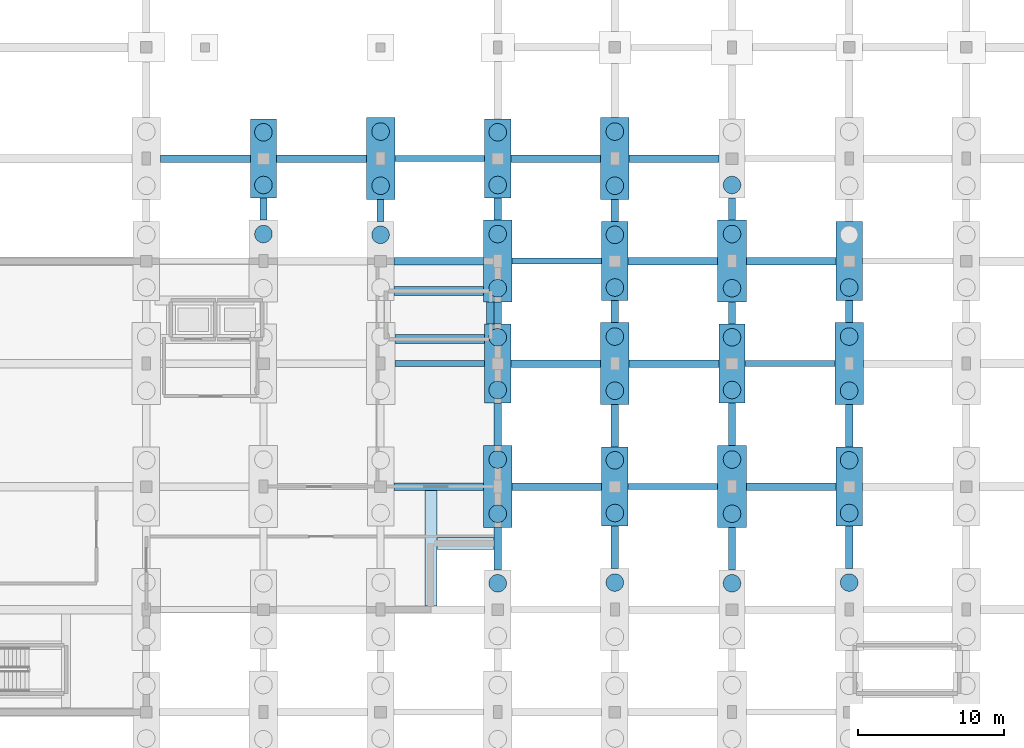
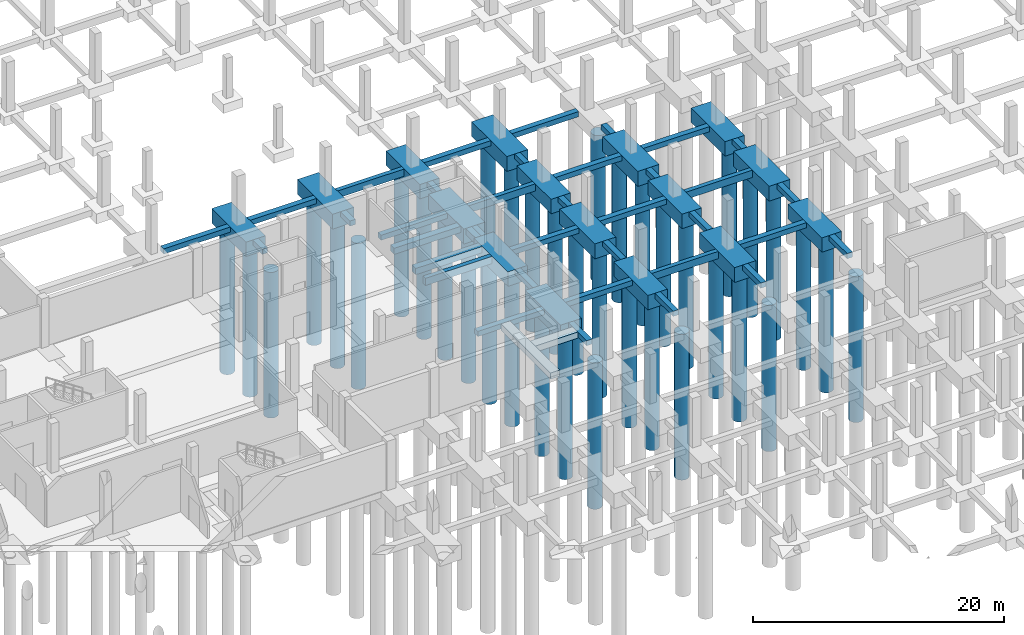
# One storey, part 15 of 50: 55 footings, 38 piles.
"""IFC4 building model written with IfcOpenShell, lengths in metres."""

from ifc_helpers import new_model, si_unit, direction, frame, origin, origin_2d, place, context, subcontext, project, spatial, polyline, rectangle, circle, outline, extrude, material, material_profile, profile_set, type_object, element, save


model = new_model("IFC4")

# Units and contexts
model_context = context("Model", 3, precision=1e-05, world=origin(), true_north=direction((0.0, 1.0)))
body_context = subcontext(model_context, "Body", "Model", "MODEL_VIEW")
ifc_project = project(units=[si_unit("LENGTHUNIT", "METRE"), si_unit("AREAUNIT", "SQUARE_METRE"), si_unit("VOLUMEUNIT", "CUBIC_METRE"), si_unit("PLANEANGLEUNIT", "RADIAN"), si_unit("MASSUNIT", "GRAM", prefix="KILO")], contexts=[model_context])

# Site, building, storey
site_placement = place(None, origin())
site = spatial("IfcSite", under=ifc_project, at=site_placement, CompositionType="ELEMENT")
building_placement = place(site_placement, origin())
building = spatial("IfcBuilding", under=site, at=building_placement, Name="Vekula Escarpment Museum", CompositionType="ELEMENT")
storey_placement = place(building_placement, frame((0.0, 0.0, -4.800048828125)))
storey = spatial("IfcBuildingStorey", under=building, at=storey_placement, Name="B1", CompositionType="ELEMENT", Elevation=-4.800048828125)

# Footings
ifc_material_1 = material(Name="Concrete C35/45", Category="concrete")
footing_type_1 = type_object("IfcFootingType", Name="FB-STRIP-600", PredefinedType="STRIP_FOOTING", material=ifc_material_1)
footing_1_placement = place(storey_placement, frame((0.0, 0.0, -0.599853515625)))
element("IfcFooting", 1, at=footing_1_placement, inside=storey, type_object=footing_type_1, Name="Plinth Wall Strip Footing 0010", PredefinedType="STRIP_FOOTING", context=body_context, shape_type="SweptSolid", body=[
    extrude(outline(polyline([(89.860107421875, 59.85400390625), (89.02001953125, 59.85400390625), (89.02001953125, 67.74609375), (89.860107421875, 67.74609375), (89.860107421875, 59.85400390625)])), origin(), (0.0, 0.0, 1.0), 0.599853515625),
])
footing_2_placement = place(storey_placement, frame((0.0, 0.0, -0.599853515625)))
element("IfcFooting", 2, at=footing_2_placement, inside=storey, type_object=footing_type_1, Name="Plinth Wall Strip Footing 0011", PredefinedType="STRIP_FOOTING", context=body_context, shape_type="SweptSolid", body=[
    extrude(outline(polyline([(89.864013671875, 63.701904296875), (89.864013671875, 64.5419921875), (93.74609375, 64.5419921875), (93.74609375, 63.701904296875), (89.864013671875, 63.701904296875)])), origin(), (0.0, 0.0, 1.0), 0.599853515625),
])
footing_3_placement = place(storey_placement, frame((0.0, 0.0, -0.599853515625)))
element("IfcFooting", 3, at=footing_3_placement, inside=storey, type_object=footing_type_1, Name="Stair Core Strip Footing ST-09 E", PredefinedType="STRIP_FOOTING", context=body_context, shape_type="SweptSolid", body=[
    extrude(outline(polyline([(93.22509765625, 80.595947265625), (93.74609375, 80.595947265625), (93.74609375, 79.10400390625), (93.22509765625, 79.10400390625), (93.22509765625, 80.595947265625)])), origin(), (0.0, 0.0, 1.0), 0.599853515625),
])
footing_4_placement = place(storey_placement, frame((0.0, 0.0, -0.599853515625)))
element("IfcFooting", 4, at=footing_4_placement, inside=storey, type_object=footing_type_1, Name="Stair Core Strip Footing ST-09 S", PredefinedType="STRIP_FOOTING", context=body_context, shape_type="SweptSolid", body=[
    extrude(outline(polyline([(86.97900390625, 77.77490234375), (86.97900390625, 78.375), (93.095947265625, 78.375), (93.095947265625, 77.77490234375), (86.97900390625, 77.77490234375)])), origin(), (0.0, 0.0, 1.0), 0.599853515625),
])
footing_5_placement = place(storey_placement, frame((0.0, 0.0, -0.599853515625)))
element("IfcFooting", 5, at=footing_5_placement, inside=storey, type_object=footing_type_1, Name="Stair Core Strip Footing ST-09 N", PredefinedType="STRIP_FOOTING", context=body_context, shape_type="SweptSolid", body=[
    extrude(outline(polyline([(86.904052734375, 81.06494140625), (86.904052734375, 81.6650390625), (93.02099609375, 81.6650390625), (93.02099609375, 81.06494140625), (86.904052734375, 81.06494140625)])), origin(), (0.0, 0.0, 1.0), 0.599853515625),
])
ifc_material_2 = material(Name="Concrete C35/45", Category="concrete")
ifc_material_profile_1 = material_profile(ifc_material_2, rectangle(XDim=0.39990234375, YDim=0.699951171875, at=origin_2d()), Name="RC 400x700")
ifc_profile_set_1 = profile_set([ifc_material_profile_1], Name="Concrete C35/45")
footing_type_2 = type_object("IfcFootingType", Name="FB-TIE-400x700", PredefinedType="FOOTING_BEAM", material=ifc_profile_set_1)
for number, where, z_axis, x_axis, name in (
    (6, (102.89990234375, 68.0, -0.349853515625), (1.0, 0.0, 0.0), (0.0, 1.0, 0.0), "Foundation Tie Beam 201"),
    (7, (86.97509765625, 76.39990234375, -0.349853515625), (1.0, 0.0, 0.0), (0.0, 1.0, 0.0), "Foundation Tie Beam 222"),
    (8, (110.89990234375, 76.39990234375, -0.349853515625), (1.0, 0.0, 0.0), (0.0, 1.0, 0.0), "Foundation Tie Beam 225"),
    (9, (94.97509765625, 83.39990234375, -0.349853515625), (1.0, 0.0, 0.0), (0.0, 1.0, 0.0), "Foundation Tie Beam 246"),
    (10, (86.97509765625, 90.39990234375, -0.349853515625), (1.0, 0.0, 0.0), (0.0, 1.0, 0.0), "Foundation Tie Beam 264"),
):
    element("IfcFooting", number, at=place(storey_placement, frame(where, z_axis=z_axis, x_axis=x_axis)), inside=storey, type_object=footing_type_2, Name=name, PredefinedType="FOOTING_BEAM", context=body_context, shape_type="SweptSolid", body=[
        extrude(rectangle(XDim=0.39990234375, YDim=0.699951171875, at=origin_2d()), origin(), (0.0, 0.0, 1.0), 6.125),
    ])
ifc_material_3 = material(Name="Concrete C35/45", Category="concrete")
ifc_material_profile_2 = material_profile(ifc_material_3, rectangle(XDim=0.5, YDim=0.5, at=origin_2d()), Name="RC 500x500")
ifc_profile_set_2 = profile_set([ifc_material_profile_2], Name="Concrete C35/45")
footing_type_3 = type_object("IfcFootingType", Name="FB-TIE-500x500", PredefinedType="FOOTING_BEAM", material=ifc_profile_set_2)
for number, where, z_axis, x_axis, name in (
    (11, (86.89990234375, 68.0, -0.25), (1.0, 0.0, 0.0), (0.0, 1.0, 0.0), "Foundation Tie Beam 199"),
    (12, (94.97509765625, 68.0, -0.25), (1.0, 0.0, 0.0), (0.0, 1.0, 0.0), "Foundation Tie Beam 200"),
    (13, (110.97509765625, 68.0, -0.25), (1.0, 0.0, 0.0), (0.0, 1.0, 0.0), "Foundation Tie Beam 202"),
    (14, (94.89990234375, 76.39990234375, -0.25), (1.0, 0.0, 0.0), (0.0, 1.0, 0.0), "Foundation Tie Beam 223"),
    (15, (102.97509765625, 76.39990234375, -0.25), (1.0, 0.0, 0.0), (0.0, 1.0, 0.0), "Foundation Tie Beam 224"),
    (16, (86.89990234375, 83.39990234375, -0.25), (1.0, 0.0, 0.0), (0.0, 1.0, 0.0), "Foundation Tie Beam 245"),
    (17, (102.89990234375, 83.39990234375, -0.25), (1.0, 0.0, 0.0), (0.0, 1.0, 0.0), "Foundation Tie Beam 247"),
    (18, (110.97509765625, 83.39990234375, -0.25), (1.0, 0.0, 0.0), (0.0, 1.0, 0.0), "Foundation Tie Beam 248"),
    (19, (70.97509765625, 90.39990234375, -0.25), (1.0, 0.0, 0.0), (0.0, 1.0, 0.0), "Foundation Tie Beam 262"),
    (20, (78.89990234375, 90.39990234375, -0.25), (1.0, 0.0, 0.0), (0.0, 1.0, 0.0), "Foundation Tie Beam 263"),
    (21, (94.89990234375, 90.39990234375, -0.25), (1.0, 0.0, 0.0), (0.0, 1.0, 0.0), "Foundation Tie Beam 265"),
    (22, (102.97509765625, 90.39990234375, -0.25), (1.0, 0.0, 0.0), (0.0, 1.0, 0.0), "Foundation Tie Beam 266"),
):
    element("IfcFooting", number, at=place(storey_placement, frame(where, z_axis=z_axis, x_axis=x_axis)), inside=storey, type_object=footing_type_3, Name=name, PredefinedType="FOOTING_BEAM", context=body_context, shape_type="SweptSolid", body=[
        extrude(rectangle(XDim=0.5, YDim=0.5, at=origin_2d()), origin(), (0.0, 0.0, 1.0), 6.125),
    ])
for number, where, z_axis, x_axis, name in (
    (23, (78.0, 86.199951171875, -0.25), (0.0, 1.0, 0.0), (-1.0, 0.0, 0.0), "Foundation Tie Beam 576"),
    (24, (86.0, 86.10009765625, -0.25), (0.0, 1.0, 0.0), (-1.0, 0.0, 0.0), "Foundation Tie Beam 588"),
):
    element("IfcFooting", number, at=place(storey_placement, frame(where, z_axis=z_axis, x_axis=x_axis)), inside=storey, type_object=footing_type_3, Name=name, PredefinedType="FOOTING_BEAM", context=body_context, shape_type="SweptSolid", body=[
        extrude(rectangle(XDim=0.5, YDim=0.5, at=origin_2d()), origin(), (0.0, 0.0, 1.0), 1.5),
    ])
for number, where, z_axis, x_axis, name in (
    (25, (94.0, 62.300048828125, -0.25), (0.0, 1.0, 0.0), (-1.0, 0.0, 0.0), "Foundation Tie Beam 600"),
    (26, (94.0, 70.800048828125, -0.25), (0.0, 1.0, 0.0), (-1.0, 0.0, 0.0), "Foundation Tie Beam 601"),
):
    element("IfcFooting", number, at=place(storey_placement, frame(where, z_axis=z_axis, x_axis=x_axis)), inside=storey, type_object=footing_type_3, Name=name, PredefinedType="FOOTING_BEAM", context=body_context, shape_type="SweptSolid", body=[
        extrude(rectangle(XDim=0.5, YDim=0.5, at=origin_2d()), origin(), (0.0, 0.0, 1.0), 2.89990234375),
    ])
for number, where, z_axis, x_axis, name in (
    (27, (94.0, 79.10009765625, -0.25), (0.0, 1.0, 0.0), (-1.0, 0.0, 0.0), "Foundation Tie Beam 602"),
    (28, (94.0, 86.199951171875, -0.25), (0.0, 1.0, 0.0), (-1.0, 0.0, 0.0), "Foundation Tie Beam 603"),
):
    element("IfcFooting", number, at=place(storey_placement, frame(where, z_axis=z_axis, x_axis=x_axis)), inside=storey, type_object=footing_type_3, Name=name, PredefinedType="FOOTING_BEAM", context=body_context, shape_type="SweptSolid", body=[
        extrude(rectangle(XDim=0.5, YDim=0.5, at=origin_2d()), origin(), (0.0, 0.0, 1.0), 1.5),
    ])
for number, where, z_axis, x_axis, name in (
    (29, (102.0, 62.39990234375, -0.25), (0.0, 1.0, 0.0), (-1.0, 0.0, 0.0), "Foundation Tie Beam 618"),
    (30, (102.0, 70.699951171875, -0.25), (0.0, 1.0, 0.0), (-1.0, 0.0, 0.0), "Foundation Tie Beam 619"),
):
    element("IfcFooting", number, at=place(storey_placement, frame(where, z_axis=z_axis, x_axis=x_axis)), inside=storey, type_object=footing_type_3, Name=name, PredefinedType="FOOTING_BEAM", context=body_context, shape_type="SweptSolid", body=[
        extrude(rectangle(XDim=0.5, YDim=0.5, at=origin_2d()), origin(), (0.0, 0.0, 1.0), 2.900146484375),
    ])
for number, where, z_axis, x_axis, name in (
    (31, (102.0, 79.199951171875, -0.25), (0.0, 1.0, 0.0), (-1.0, 0.0, 0.0), "Foundation Tie Beam 620"),
    (32, (102.0, 86.10009765625, -0.25), (0.0, 1.0, 0.0), (-1.0, 0.0, 0.0), "Foundation Tie Beam 621"),
):
    element("IfcFooting", number, at=place(storey_placement, frame(where, z_axis=z_axis, x_axis=x_axis)), inside=storey, type_object=footing_type_3, Name=name, PredefinedType="FOOTING_BEAM", context=body_context, shape_type="SweptSolid", body=[
        extrude(rectangle(XDim=0.5, YDim=0.5, at=origin_2d()), origin(), (0.0, 0.0, 1.0), 1.5),
    ])
for number, where, z_axis, x_axis, name in (
    (33, (110.0, 62.300048828125, -0.25), (0.0, 1.0, 0.0), (-1.0, 0.0, 0.0), "Foundation Tie Beam 636"),
    (34, (110.0, 70.800048828125, -0.25), (0.0, 1.0, 0.0), (-1.0, 0.0, 0.0), "Foundation Tie Beam 637"),
):
    element("IfcFooting", number, at=place(storey_placement, frame(where, z_axis=z_axis, x_axis=x_axis)), inside=storey, type_object=footing_type_3, Name=name, PredefinedType="FOOTING_BEAM", context=body_context, shape_type="SweptSolid", body=[
        extrude(rectangle(XDim=0.5, YDim=0.5, at=origin_2d()), origin(), (0.0, 0.0, 1.0), 2.89990234375),
    ])
for number, where, z_axis, x_axis, name in (
    (35, (110.0, 79.10009765625, -0.25), (0.0, 1.0, 0.0), (-1.0, 0.0, 0.0), "Foundation Tie Beam 638"),
    (36, (110.0, 86.199951171875, -0.25), (0.0, 1.0, 0.0), (-1.0, 0.0, 0.0), "Foundation Tie Beam 639"),
):
    element("IfcFooting", number, at=place(storey_placement, frame(where, z_axis=z_axis, x_axis=x_axis)), inside=storey, type_object=footing_type_3, Name=name, PredefinedType="FOOTING_BEAM", context=body_context, shape_type="SweptSolid", body=[
        extrude(rectangle(XDim=0.5, YDim=0.5, at=origin_2d()), origin(), (0.0, 0.0, 1.0), 1.5),
    ])
for number, where, z_axis, x_axis, name in (
    (37, (118.0, 62.39990234375, -0.25), (0.0, 1.0, 0.0), (-1.0, 0.0, 0.0), "Foundation Tie Beam 654"),
    (38, (118.0, 70.699951171875, -0.25), (0.0, 1.0, 0.0), (-1.0, 0.0, 0.0), "Foundation Tie Beam 655"),
):
    element("IfcFooting", number, at=place(storey_placement, frame(where, z_axis=z_axis, x_axis=x_axis)), inside=storey, type_object=footing_type_3, Name=name, PredefinedType="FOOTING_BEAM", context=body_context, shape_type="SweptSolid", body=[
        extrude(rectangle(XDim=0.5, YDim=0.5, at=origin_2d()), origin(), (0.0, 0.0, 1.0), 2.900146484375),
    ])
footing_6_placement = place(storey_placement, frame((118.0, 79.199951171875, -0.25), z_axis=(0.0, 1.0, 0.0), x_axis=(-1.0, 0.0, 0.0)))
element("IfcFooting", 39, at=footing_6_placement, inside=storey, type_object=footing_type_3, Name="Foundation Tie Beam 656", PredefinedType="FOOTING_BEAM", context=body_context, shape_type="SweptSolid", body=[
    extrude(rectangle(XDim=0.5, YDim=0.5, at=origin_2d()), origin(), (0.0, 0.0, 1.0), 1.5),
])
ifc_material_4 = material(Name="Concrete C35/45", Category="concrete")
footing_type_4 = type_object("IfcFootingType", Name="FC-PC2Y-HA", PredefinedType="PILE_CAP", material=ifc_material_4)
footing_7_placement = place(storey_placement, frame((0.0, 0.0, -1.39990234375)))
element("IfcFooting", 40, at=footing_7_placement, inside=storey, type_object=footing_type_4, Name="Foundation FC-PC2Y-HA (78.0,90.4)", PredefinedType="PILE_CAP", context=body_context, shape_type="SweptSolid", body=[
    extrude(outline(polyline([(77.10009765625, 87.699951171875), (78.89990234375, 87.699951171875), (78.89990234375, 93.10009765625), (77.10009765625, 93.10009765625), (77.10009765625, 87.699951171875)])), origin(), (0.0, 0.0, 1.0), 1.39990234375),
])
footing_8_placement = place(storey_placement, frame((0.0, 0.0, -1.39990234375)))
element("IfcFooting", 41, at=footing_8_placement, inside=storey, type_object=footing_type_4, Name="Foundation FC-PC2Y-HA (94.0,76.4)", PredefinedType="PILE_CAP", context=body_context, shape_type="SweptSolid", body=[
    extrude(outline(polyline([(93.10009765625, 73.699951171875), (94.89990234375, 73.699951171875), (94.89990234375, 79.10009765625), (93.10009765625, 79.10009765625), (93.10009765625, 73.699951171875)])), origin(), (0.0, 0.0, 1.0), 1.39990234375),
])
footing_9_placement = place(storey_placement, frame((0.0, 0.0, -1.39990234375)))
element("IfcFooting", 42, at=footing_9_placement, inside=storey, type_object=footing_type_4, Name="Foundation FC-PC2Y-HA (94.0,90.4)", PredefinedType="PILE_CAP", context=body_context, shape_type="SweptSolid", body=[
    extrude(outline(polyline([(93.10009765625, 87.699951171875), (94.89990234375, 87.699951171875), (94.89990234375, 93.10009765625), (93.10009765625, 93.10009765625), (93.10009765625, 87.699951171875)])), origin(), (0.0, 0.0, 1.0), 1.39990234375),
])
footing_10_placement = place(storey_placement, frame((0.0, 0.0, -1.39990234375)))
element("IfcFooting", 43, at=footing_10_placement, inside=storey, type_object=footing_type_4, Name="Foundation FC-PC2Y-HA (102.0,68.0)", PredefinedType="PILE_CAP", context=body_context, shape_type="SweptSolid", body=[
    extrude(outline(polyline([(101.10009765625, 65.300048828125), (102.89990234375, 65.300048828125), (102.89990234375, 70.699951171875), (101.10009765625, 70.699951171875), (101.10009765625, 65.300048828125)])), origin(), (0.0, 0.0, 1.0), 1.39990234375),
])
footing_11_placement = place(storey_placement, frame((0.0, 0.0, -1.39990234375)))
element("IfcFooting", 44, at=footing_11_placement, inside=storey, type_object=footing_type_4, Name="Foundation FC-PC2Y-HA (102.0,83.4)", PredefinedType="PILE_CAP", context=body_context, shape_type="SweptSolid", body=[
    extrude(outline(polyline([(101.10009765625, 80.699951171875), (102.89990234375, 80.699951171875), (102.89990234375, 86.10009765625), (101.10009765625, 86.10009765625), (101.10009765625, 80.699951171875)])), origin(), (0.0, 0.0, 1.0), 1.39990234375),
])
footing_12_placement = place(storey_placement, frame((0.0, 0.0, -1.39990234375)))
element("IfcFooting", 45, at=footing_12_placement, inside=storey, type_object=footing_type_4, Name="Foundation FC-PC2Y-HA (110.0,76.4)", PredefinedType="PILE_CAP", context=body_context, shape_type="SweptSolid", body=[
    extrude(outline(polyline([(109.10009765625, 73.699951171875), (110.89990234375, 73.699951171875), (110.89990234375, 79.10009765625), (109.10009765625, 79.10009765625), (109.10009765625, 73.699951171875)])), origin(), (0.0, 0.0, 1.0), 1.39990234375),
])
footing_13_placement = place(storey_placement, frame((0.0, 0.0, -1.39990234375)))
element("IfcFooting", 46, at=footing_13_placement, inside=storey, type_object=footing_type_4, Name="Foundation FC-PC2Y-HA (118.0,68.0)", PredefinedType="PILE_CAP", context=body_context, shape_type="SweptSolid", body=[
    extrude(outline(polyline([(117.10009765625, 65.300048828125), (118.89990234375, 65.300048828125), (118.89990234375, 70.699951171875), (117.10009765625, 70.699951171875), (117.10009765625, 65.300048828125)])), origin(), (0.0, 0.0, 1.0), 1.39990234375),
])
footing_14_placement = place(storey_placement, frame((0.0, 0.0, -1.39990234375)))
element("IfcFooting", 47, at=footing_14_placement, inside=storey, type_object=footing_type_4, Name="Foundation FC-PC2Y-HA (118.0,83.4)", PredefinedType="PILE_CAP", context=body_context, shape_type="SweptSolid", body=[
    extrude(outline(polyline([(117.10009765625, 80.699951171875), (118.89990234375, 80.699951171875), (118.89990234375, 86.10009765625), (117.10009765625, 86.10009765625), (117.10009765625, 80.699951171875)])), origin(), (0.0, 0.0, 1.0), 1.39990234375),
])
ifc_material_5 = material(Name="Concrete C35/45", Category="concrete")
footing_type_5 = type_object("IfcFootingType", Name="FC-PC2Y-HB", PredefinedType="PILE_CAP", material=ifc_material_5)
footing_15_placement = place(storey_placement, frame((0.0, 0.0, -1.449951171875)))
element("IfcFooting", 48, at=footing_15_placement, inside=storey, type_object=footing_type_5, Name="Foundation FC-PC2Y-HB (86.0,90.4)", PredefinedType="PILE_CAP", context=body_context, shape_type="SweptSolid", body=[
    extrude(outline(polyline([(85.02490234375, 87.60009765625), (86.97509765625, 87.60009765625), (86.97509765625, 93.199951171875), (85.02490234375, 93.199951171875), (85.02490234375, 87.60009765625)])), origin(), (0.0, 0.0, 1.0), 1.449951171875),
])
footing_16_placement = place(storey_placement, frame((0.0, 0.0, -1.449951171875)))
element("IfcFooting", 49, at=footing_16_placement, inside=storey, type_object=footing_type_5, Name="Foundation FC-PC2Y-HB (94.0,68.0)", PredefinedType="PILE_CAP", context=body_context, shape_type="SweptSolid", body=[
    extrude(outline(polyline([(93.02490234375, 65.199951171875), (94.97509765625, 65.199951171875), (94.97509765625, 70.800048828125), (93.02490234375, 70.800048828125), (93.02490234375, 65.199951171875)])), origin(), (0.0, 0.0, 1.0), 1.449951171875),
])
footing_17_placement = place(storey_placement, frame((0.0, 0.0, -1.449951171875)))
element("IfcFooting", 50, at=footing_17_placement, inside=storey, type_object=footing_type_5, Name="Foundation FC-PC2Y-HB (94.0,83.4)", PredefinedType="PILE_CAP", context=body_context, shape_type="SweptSolid", body=[
    extrude(outline(polyline([(93.02490234375, 80.60009765625), (94.97509765625, 80.60009765625), (94.97509765625, 86.199951171875), (93.02490234375, 86.199951171875), (93.02490234375, 80.60009765625)])), origin(), (0.0, 0.0, 1.0), 1.449951171875),
])
footing_18_placement = place(storey_placement, frame((0.0, 0.0, -1.449951171875)))
element("IfcFooting", 51, at=footing_18_placement, inside=storey, type_object=footing_type_5, Name="Foundation FC-PC2Y-HB (102.0,76.4)", PredefinedType="PILE_CAP", context=body_context, shape_type="SweptSolid", body=[
    extrude(outline(polyline([(101.02490234375, 73.60009765625), (102.97509765625, 73.60009765625), (102.97509765625, 79.199951171875), (101.02490234375, 79.199951171875), (101.02490234375, 73.60009765625)])), origin(), (0.0, 0.0, 1.0), 1.449951171875),
])
footing_19_placement = place(storey_placement, frame((0.0, 0.0, -1.449951171875)))
element("IfcFooting", 52, at=footing_19_placement, inside=storey, type_object=footing_type_5, Name="Foundation FC-PC2Y-HB (102.0,90.4)", PredefinedType="PILE_CAP", context=body_context, shape_type="SweptSolid", body=[
    extrude(outline(polyline([(101.02490234375, 87.60009765625), (102.97509765625, 87.60009765625), (102.97509765625, 93.199951171875), (101.02490234375, 93.199951171875), (101.02490234375, 87.60009765625)])), origin(), (0.0, 0.0, 1.0), 1.449951171875),
])
footing_20_placement = place(storey_placement, frame((0.0, 0.0, -1.449951171875)))
element("IfcFooting", 53, at=footing_20_placement, inside=storey, type_object=footing_type_5, Name="Foundation FC-PC2Y-HB (110.0,68.0)", PredefinedType="PILE_CAP", context=body_context, shape_type="SweptSolid", body=[
    extrude(outline(polyline([(109.02490234375, 65.199951171875), (110.97509765625, 65.199951171875), (110.97509765625, 70.800048828125), (109.02490234375, 70.800048828125), (109.02490234375, 65.199951171875)])), origin(), (0.0, 0.0, 1.0), 1.449951171875),
])
footing_21_placement = place(storey_placement, frame((0.0, 0.0, -1.449951171875)))
element("IfcFooting", 54, at=footing_21_placement, inside=storey, type_object=footing_type_5, Name="Foundation FC-PC2Y-HB (110.0,83.4)", PredefinedType="PILE_CAP", context=body_context, shape_type="SweptSolid", body=[
    extrude(outline(polyline([(109.02490234375, 80.60009765625), (110.97509765625, 80.60009765625), (110.97509765625, 86.199951171875), (109.02490234375, 86.199951171875), (109.02490234375, 80.60009765625)])), origin(), (0.0, 0.0, 1.0), 1.449951171875),
])
footing_22_placement = place(storey_placement, frame((0.0, 0.0, -1.449951171875)))
element("IfcFooting", 55, at=footing_22_placement, inside=storey, type_object=footing_type_5, Name="Foundation FC-PC2Y-HB (118.0,76.4)", PredefinedType="PILE_CAP", context=body_context, shape_type="SweptSolid", body=[
    extrude(outline(polyline([(117.02490234375, 73.60009765625), (118.97509765625, 73.60009765625), (118.97509765625, 79.199951171875), (117.02490234375, 79.199951171875), (117.02490234375, 73.60009765625)])), origin(), (0.0, 0.0, 1.0), 1.449951171875),
])

# Piles
ifc_material_6 = material(Name="Concrete C35/45", Category="concrete")
ifc_material_profile_3 = material_profile(ifc_material_6, circle(Radius=0.60009765625, at=origin_2d()), Name="BORED PILE 1200")
ifc_profile_set_3 = profile_set([ifc_material_profile_3], Name="Concrete C35/45")
pile_type = type_object("IfcPileType", Name="PILE-B1200", PredefinedType="BORED", material=ifc_profile_set_3)
pile_1_placement = place(storey_placement, frame((78.0, 85.25, -1.349853515625), z_axis=(0.0, 0.0, -1.0), x_axis=(1.0, 0.0, 0.0)))
element("IfcPile", 56, at=pile_1_placement, inside=storey, type_object=pile_type, Name="Bored Pile (78.0,85.2)", PredefinedType="BORED", context=body_context, shape_type="SweptSolid", body=[
    extrude(circle(Radius=0.60009765625, at=origin_2d()), origin(), (0.0, 0.0, 1.0), 14.14990234375),
])
for number, where, z_axis, x_axis, name in (
    (57, (78.0, 88.60009765625, -1.300048828125), (0.0, 0.0, -1.0), (1.0, 0.0, 0.0), "Bored Pile (78.0,88.6)"),
    (58, (78.0, 92.199951171875, -1.300048828125), (0.0, 0.0, -1.0), (1.0, 0.0, 0.0), "Bored Pile (78.0,92.2)"),
    (59, (86.0, 85.199951171875, -1.300048828125), (0.0, 0.0, -1.0), (1.0, 0.0, 0.0), "Bored Pile (86.0,85.2)"),
):
    element("IfcPile", number, at=place(storey_placement, frame(where, z_axis=z_axis, x_axis=x_axis)), inside=storey, type_object=pile_type, Name=name, PredefinedType="BORED", context=body_context, shape_type="SweptSolid", body=[
        extrude(circle(Radius=0.60009765625, at=origin_2d()), origin(), (0.0, 0.0, 1.0), 14.199951171875),
    ])
for number, where, z_axis, x_axis, name in (
    (60, (86.0, 88.550048828125, -1.349853515625), (0.0, 0.0, -1.0), (1.0, 0.0, 0.0), "Bored Pile (86.0,88.6)"),
    (61, (86.0, 92.25, -1.349853515625), (0.0, 0.0, -1.0), (1.0, 0.0, 0.0), "Bored Pile (86.0,92.2)"),
):
    element("IfcPile", number, at=place(storey_placement, frame(where, z_axis=z_axis, x_axis=x_axis)), inside=storey, type_object=pile_type, Name=name, PredefinedType="BORED", context=body_context, shape_type="SweptSolid", body=[
        extrude(circle(Radius=0.60009765625, at=origin_2d()), origin(), (0.0, 0.0, 1.0), 14.14990234375),
    ])
pile_2_placement = place(storey_placement, frame((94.0, 61.39990234375, -1.300048828125), z_axis=(0.0, 0.0, -1.0), x_axis=(1.0, 0.0, 0.0)))
element("IfcPile", 62, at=pile_2_placement, inside=storey, type_object=pile_type, Name="Bored Pile (94.0,61.4)", PredefinedType="BORED", context=body_context, shape_type="SweptSolid", body=[
    extrude(circle(Radius=0.60009765625, at=origin_2d()), origin(), (0.0, 0.0, 1.0), 14.199951171875),
])
for number, where, z_axis, x_axis, name in (
    (63, (94.0, 66.14990234375, -1.349853515625), (0.0, 0.0, -1.0), (1.0, 0.0, 0.0), "Bored Pile (94.0,66.2)"),
    (64, (94.0, 69.85009765625, -1.349853515625), (0.0, 0.0, -1.0), (1.0, 0.0, 0.0), "Bored Pile (94.0,69.8)"),
):
    element("IfcPile", number, at=place(storey_placement, frame(where, z_axis=z_axis, x_axis=x_axis)), inside=storey, type_object=pile_type, Name=name, PredefinedType="BORED", context=body_context, shape_type="SweptSolid", body=[
        extrude(circle(Radius=0.60009765625, at=origin_2d()), origin(), (0.0, 0.0, 1.0), 14.14990234375),
    ])
for number, where, z_axis, x_axis, name in (
    (65, (94.0, 74.60009765625, -1.300048828125), (0.0, 0.0, -1.0), (1.0, 0.0, 0.0), "Bored Pile (94.0,74.6)"),
    (66, (94.0, 78.199951171875, -1.300048828125), (0.0, 0.0, -1.0), (1.0, 0.0, 0.0), "Bored Pile (94.0,78.2)"),
):
    element("IfcPile", number, at=place(storey_placement, frame(where, z_axis=z_axis, x_axis=x_axis)), inside=storey, type_object=pile_type, Name=name, PredefinedType="BORED", context=body_context, shape_type="SweptSolid", body=[
        extrude(circle(Radius=0.60009765625, at=origin_2d()), origin(), (0.0, 0.0, 1.0), 14.199951171875),
    ])
for number, where, z_axis, x_axis, name in (
    (67, (94.0, 81.550048828125, -1.349853515625), (0.0, 0.0, -1.0), (1.0, 0.0, 0.0), "Bored Pile (94.0,81.6)"),
    (68, (94.0, 85.25, -1.349853515625), (0.0, 0.0, -1.0), (1.0, 0.0, 0.0), "Bored Pile (94.0,85.2)"),
):
    element("IfcPile", number, at=place(storey_placement, frame(where, z_axis=z_axis, x_axis=x_axis)), inside=storey, type_object=pile_type, Name=name, PredefinedType="BORED", context=body_context, shape_type="SweptSolid", body=[
        extrude(circle(Radius=0.60009765625, at=origin_2d()), origin(), (0.0, 0.0, 1.0), 14.14990234375),
    ])
for number, where, z_axis, x_axis, name in (
    (69, (94.0, 88.60009765625, -1.300048828125), (0.0, 0.0, -1.0), (1.0, 0.0, 0.0), "Bored Pile (94.0,88.6)"),
    (70, (94.0, 92.199951171875, -1.300048828125), (0.0, 0.0, -1.0), (1.0, 0.0, 0.0), "Bored Pile (94.0,92.2)"),
):
    element("IfcPile", number, at=place(storey_placement, frame(where, z_axis=z_axis, x_axis=x_axis)), inside=storey, type_object=pile_type, Name=name, PredefinedType="BORED", context=body_context, shape_type="SweptSolid", body=[
        extrude(circle(Radius=0.60009765625, at=origin_2d()), origin(), (0.0, 0.0, 1.0), 14.199951171875),
    ])
pile_3_placement = place(storey_placement, frame((102.0, 61.449951171875, -1.349853515625), z_axis=(0.0, 0.0, -1.0), x_axis=(1.0, 0.0, 0.0)))
element("IfcPile", 71, at=pile_3_placement, inside=storey, type_object=pile_type, Name="Bored Pile (102.0,61.5)", PredefinedType="BORED", context=body_context, shape_type="SweptSolid", body=[
    extrude(circle(Radius=0.60009765625, at=origin_2d()), origin(), (0.0, 0.0, 1.0), 14.14990234375),
])
for number, where, z_axis, x_axis, name in (
    (72, (102.0, 66.199951171875, -1.300048828125), (0.0, 0.0, -1.0), (1.0, 0.0, 0.0), "Bored Pile (102.0,66.2)"),
    (73, (102.0, 69.800048828125, -1.300048828125), (0.0, 0.0, -1.0), (1.0, 0.0, 0.0), "Bored Pile (102.0,69.8)"),
):
    element("IfcPile", number, at=place(storey_placement, frame(where, z_axis=z_axis, x_axis=x_axis)), inside=storey, type_object=pile_type, Name=name, PredefinedType="BORED", context=body_context, shape_type="SweptSolid", body=[
        extrude(circle(Radius=0.60009765625, at=origin_2d()), origin(), (0.0, 0.0, 1.0), 14.199951171875),
    ])
for number, where, z_axis, x_axis, name in (
    (74, (102.0, 74.550048828125, -1.349853515625), (0.0, 0.0, -1.0), (1.0, 0.0, 0.0), "Bored Pile (102.0,74.6)"),
    (75, (102.0, 78.25, -1.349853515625), (0.0, 0.0, -1.0), (1.0, 0.0, 0.0), "Bored Pile (102.0,78.2)"),
):
    element("IfcPile", number, at=place(storey_placement, frame(where, z_axis=z_axis, x_axis=x_axis)), inside=storey, type_object=pile_type, Name=name, PredefinedType="BORED", context=body_context, shape_type="SweptSolid", body=[
        extrude(circle(Radius=0.60009765625, at=origin_2d()), origin(), (0.0, 0.0, 1.0), 14.14990234375),
    ])
for number, where, z_axis, x_axis, name in (
    (76, (102.0, 81.60009765625, -1.300048828125), (0.0, 0.0, -1.0), (1.0, 0.0, 0.0), "Bored Pile (102.0,81.6)"),
    (77, (102.0, 85.199951171875, -1.300048828125), (0.0, 0.0, -1.0), (1.0, 0.0, 0.0), "Bored Pile (102.0,85.2)"),
):
    element("IfcPile", number, at=place(storey_placement, frame(where, z_axis=z_axis, x_axis=x_axis)), inside=storey, type_object=pile_type, Name=name, PredefinedType="BORED", context=body_context, shape_type="SweptSolid", body=[
        extrude(circle(Radius=0.60009765625, at=origin_2d()), origin(), (0.0, 0.0, 1.0), 14.199951171875),
    ])
for number, where, z_axis, x_axis, name in (
    (78, (102.0, 88.550048828125, -1.349853515625), (0.0, 0.0, -1.0), (1.0, 0.0, 0.0), "Bored Pile (102.0,88.6)"),
    (79, (102.0, 92.25, -1.349853515625), (0.0, 0.0, -1.0), (1.0, 0.0, 0.0), "Bored Pile (102.0,92.2)"),
):
    element("IfcPile", number, at=place(storey_placement, frame(where, z_axis=z_axis, x_axis=x_axis)), inside=storey, type_object=pile_type, Name=name, PredefinedType="BORED", context=body_context, shape_type="SweptSolid", body=[
        extrude(circle(Radius=0.60009765625, at=origin_2d()), origin(), (0.0, 0.0, 1.0), 14.14990234375),
    ])
pile_4_placement = place(storey_placement, frame((110.0, 61.39990234375, -1.300048828125), z_axis=(0.0, 0.0, -1.0), x_axis=(1.0, 0.0, 0.0)))
element("IfcPile", 80, at=pile_4_placement, inside=storey, type_object=pile_type, Name="Bored Pile (110.0,61.4)", PredefinedType="BORED", context=body_context, shape_type="SweptSolid", body=[
    extrude(circle(Radius=0.60009765625, at=origin_2d()), origin(), (0.0, 0.0, 1.0), 14.199951171875),
])
for number, where, z_axis, x_axis, name in (
    (81, (110.0, 66.14990234375, -1.349853515625), (0.0, 0.0, -1.0), (1.0, 0.0, 0.0), "Bored Pile (110.0,66.2)"),
    (82, (110.0, 69.85009765625, -1.349853515625), (0.0, 0.0, -1.0), (1.0, 0.0, 0.0), "Bored Pile (110.0,69.8)"),
):
    element("IfcPile", number, at=place(storey_placement, frame(where, z_axis=z_axis, x_axis=x_axis)), inside=storey, type_object=pile_type, Name=name, PredefinedType="BORED", context=body_context, shape_type="SweptSolid", body=[
        extrude(circle(Radius=0.60009765625, at=origin_2d()), origin(), (0.0, 0.0, 1.0), 14.14990234375),
    ])
for number, where, z_axis, x_axis, name in (
    (83, (110.0, 74.60009765625, -1.300048828125), (0.0, 0.0, -1.0), (1.0, 0.0, 0.0), "Bored Pile (110.0,74.6)"),
    (84, (110.0, 78.199951171875, -1.300048828125), (0.0, 0.0, -1.0), (1.0, 0.0, 0.0), "Bored Pile (110.0,78.2)"),
):
    element("IfcPile", number, at=place(storey_placement, frame(where, z_axis=z_axis, x_axis=x_axis)), inside=storey, type_object=pile_type, Name=name, PredefinedType="BORED", context=body_context, shape_type="SweptSolid", body=[
        extrude(circle(Radius=0.60009765625, at=origin_2d()), origin(), (0.0, 0.0, 1.0), 14.199951171875),
    ])
for number, where, z_axis, x_axis, name in (
    (85, (110.0, 81.550048828125, -1.349853515625), (0.0, 0.0, -1.0), (1.0, 0.0, 0.0), "Bored Pile (110.0,81.6)"),
    (86, (110.0, 85.25, -1.349853515625), (0.0, 0.0, -1.0), (1.0, 0.0, 0.0), "Bored Pile (110.0,85.2)"),
):
    element("IfcPile", number, at=place(storey_placement, frame(where, z_axis=z_axis, x_axis=x_axis)), inside=storey, type_object=pile_type, Name=name, PredefinedType="BORED", context=body_context, shape_type="SweptSolid", body=[
        extrude(circle(Radius=0.60009765625, at=origin_2d()), origin(), (0.0, 0.0, 1.0), 14.14990234375),
    ])
pile_5_placement = place(storey_placement, frame((110.0, 88.60009765625, -1.300048828125), z_axis=(0.0, 0.0, -1.0), x_axis=(1.0, 0.0, 0.0)))
element("IfcPile", 87, at=pile_5_placement, inside=storey, type_object=pile_type, Name="Bored Pile (110.0,88.6)", PredefinedType="BORED", context=body_context, shape_type="SweptSolid", body=[
    extrude(circle(Radius=0.60009765625, at=origin_2d()), origin(), (0.0, 0.0, 1.0), 14.199951171875),
])
pile_6_placement = place(storey_placement, frame((118.0, 61.449951171875, -1.349853515625), z_axis=(0.0, 0.0, -1.0), x_axis=(1.0, 0.0, 0.0)))
element("IfcPile", 88, at=pile_6_placement, inside=storey, type_object=pile_type, Name="Bored Pile (118.0,61.5)", PredefinedType="BORED", context=body_context, shape_type="SweptSolid", body=[
    extrude(circle(Radius=0.60009765625, at=origin_2d()), origin(), (0.0, 0.0, 1.0), 14.14990234375),
])
for number, where, z_axis, x_axis, name in (
    (89, (118.0, 66.199951171875, -1.300048828125), (0.0, 0.0, -1.0), (1.0, 0.0, 0.0), "Bored Pile (118.0,66.2)"),
    (90, (118.0, 69.800048828125, -1.300048828125), (0.0, 0.0, -1.0), (1.0, 0.0, 0.0), "Bored Pile (118.0,69.8)"),
):
    element("IfcPile", number, at=place(storey_placement, frame(where, z_axis=z_axis, x_axis=x_axis)), inside=storey, type_object=pile_type, Name=name, PredefinedType="BORED", context=body_context, shape_type="SweptSolid", body=[
        extrude(circle(Radius=0.60009765625, at=origin_2d()), origin(), (0.0, 0.0, 1.0), 14.199951171875),
    ])
for number, where, z_axis, x_axis, name in (
    (91, (118.0, 74.550048828125, -1.349853515625), (0.0, 0.0, -1.0), (1.0, 0.0, 0.0), "Bored Pile (118.0,74.6)"),
    (92, (118.0, 78.25, -1.349853515625), (0.0, 0.0, -1.0), (1.0, 0.0, 0.0), "Bored Pile (118.0,78.2)"),
):
    element("IfcPile", number, at=place(storey_placement, frame(where, z_axis=z_axis, x_axis=x_axis)), inside=storey, type_object=pile_type, Name=name, PredefinedType="BORED", context=body_context, shape_type="SweptSolid", body=[
        extrude(circle(Radius=0.60009765625, at=origin_2d()), origin(), (0.0, 0.0, 1.0), 14.14990234375),
    ])
pile_7_placement = place(storey_placement, frame((118.0, 81.60009765625, -1.300048828125), z_axis=(0.0, 0.0, -1.0), x_axis=(1.0, 0.0, 0.0)))
element("IfcPile", 93, at=pile_7_placement, inside=storey, type_object=pile_type, Name="Bored Pile (118.0,81.6)", PredefinedType="BORED", context=body_context, shape_type="SweptSolid", body=[
    extrude(circle(Radius=0.60009765625, at=origin_2d()), origin(), (0.0, 0.0, 1.0), 14.199951171875),
])

save(model, "model.ifc")
